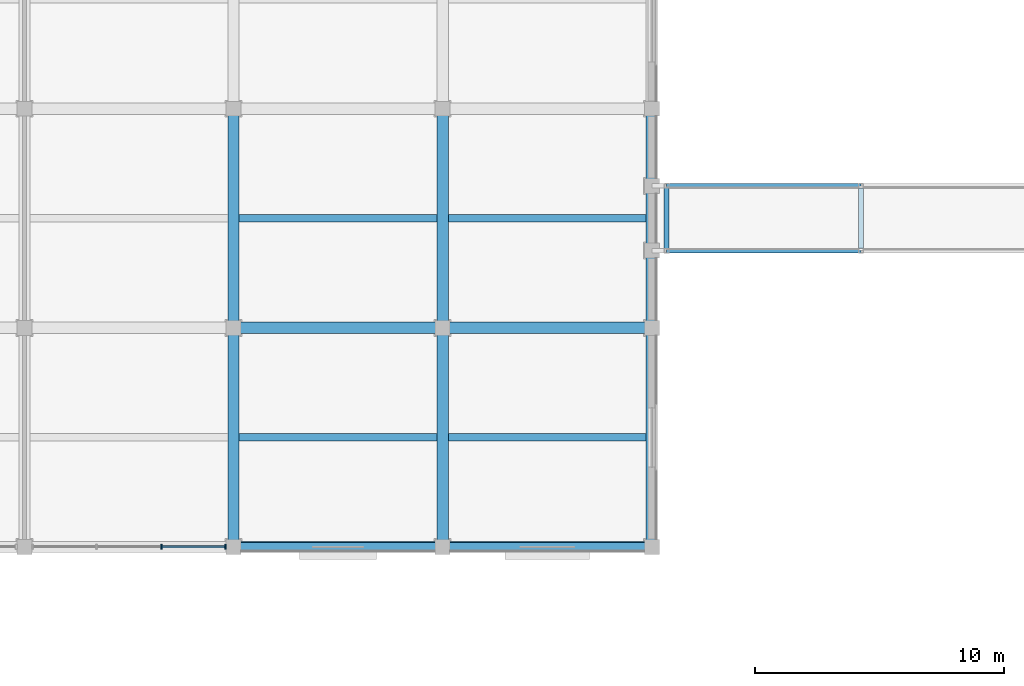
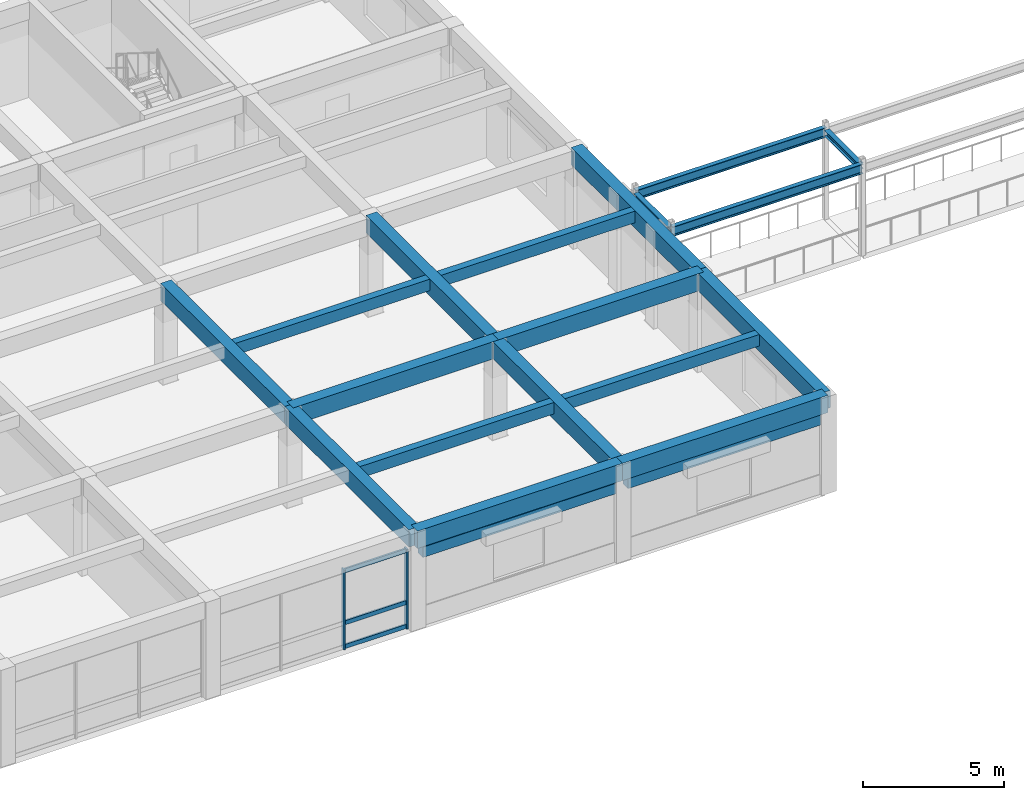
# One storey, part 20 of 57: 20 beams, 5 members, 1 element without a shape of its own.
"""IFC4 building model written with IfcOpenShell, lengths in metres."""

from ifc_helpers import new_model, si_unit, direction, frame, origin, origin_2d, place, context, subcontext, project, spatial, rectangle, i_section, extrude, material, material_profile, profile_set, type_object, element, aggregate, save


model = new_model("IFC4")

# Units and contexts
model_context = context("Model", 3, precision=1e-05, world=origin(), true_north=direction((0.0, 1.0)))
body_context = subcontext(model_context, "Body", "Model", "MODEL_VIEW")
ifc_project = project(units=[si_unit("LENGTHUNIT", "METRE"), si_unit("AREAUNIT", "SQUARE_METRE"), si_unit("VOLUMEUNIT", "CUBIC_METRE"), si_unit("PLANEANGLEUNIT", "RADIAN"), si_unit("MASSUNIT", "GRAM", prefix="KILO")], contexts=[model_context])

# Site, building, storey
site_placement = place(None, origin())
site = spatial("IfcSite", under=ifc_project, at=site_placement, CompositionType="ELEMENT")
building_placement = place(site_placement, origin())
building = spatial("IfcBuilding", under=site, at=building_placement, Name="Kemercrest Conservatory and Botanical Centre", CompositionType="ELEMENT")
storey_placement = place(building_placement, frame((0.0, 0.0, 4.800048828125)))
storey = spatial("IfcBuildingStorey", under=building, at=storey_placement, Name="L01", CompositionType="ELEMENT", Elevation=4.800048828125)

# Beams
ifc_material_1 = material(Name="Steel CSA G40.21 350W", Category="steel")
ifc_material_profile_1 = material_profile(ifc_material_1, i_section(OverallWidth=0.180908203125, OverallDepth=0.4169921875, WebThickness=0.010986328125, FlangeThickness=0.018310546875, FilletRadius=0.01611328125, at=origin_2d()), Name="W410X85")
ifc_profile_set_1 = profile_set([ifc_material_profile_1], Name="Steel CSA G40.21 350W")
beam_type_1 = type_object("IfcBeamType", Name="BM-LB410", PredefinedType="BEAM", material=ifc_profile_set_1)
for number, where, z_axis, x_axis, name in (
    (1, (92.60009765625, 99.10009765625, 3.761474609375), (1.0, 0.0, 0.0), (0.0, 1.0, 0.0), "Link bridge girder LB-01 SJ-3"),
    (2, (92.60009765625, 101.699951171875, 3.761474609375), (1.0, 0.0, 0.0), (0.0, 1.0, 0.0), "Link bridge girder LB-01 SJ-3"),
):
    element("IfcBeam", number, at=place(storey_placement, frame(where, z_axis=z_axis, x_axis=x_axis)), inside=storey, type_object=beam_type_1, Name=name, PredefinedType="BEAM", context=body_context, shape_type="SweptSolid", body=[
        extrude(i_section(OverallWidth=0.180908203125, OverallDepth=0.4169921875, WebThickness=0.010986328125, FlangeThickness=0.018310546875, FilletRadius=0.01611328125, at=origin_2d()), origin(), (0.0, 0.0, 1.0), 7.7998046875),
    ])
ifc_material_2 = material(Name="Concrete C40/50", Category="concrete")
ifc_material_profile_2 = material_profile(ifc_material_2, rectangle(XDim=0.449951171875, YDim=0.75, at=origin_2d()), Name="RC 450x750")
ifc_profile_set_2 = profile_set([ifc_material_profile_2], Name="Concrete C40/50")
beam_type_2 = type_object("IfcBeamType", Name="BM-RC75", PredefinedType="BEAM", material=ifc_profile_set_2)
beam_1_placement = place(storey_placement, frame((75.199951171875, 96.0, 3.824951171875), z_axis=(1.0, 0.0, 0.0), x_axis=(0.0, 1.0, 0.0)))
element("IfcBeam", 3, at=beam_1_placement, inside=storey, type_object=beam_type_2, Name="V3-L02 beam BM-RC75 L/09-10", PredefinedType="BEAM", context=body_context, shape_type="SweptSolid", body=[
    extrude(rectangle(XDim=0.449951171875, YDim=0.75, at=origin_2d()), origin(), (0.0, 0.0, 1.0), 8.400146484375),
])
beam_2_placement = place(storey_placement, frame((83.60009765625, 96.0, 3.824951171875), z_axis=(1.0, 0.0, 0.0), x_axis=(0.0, 1.0, 0.0)))
element("IfcBeam", 4, at=beam_2_placement, inside=storey, type_object=beam_type_2, Name="V3-L02 beam BM-RC75 L/10-11", PredefinedType="BEAM", context=body_context, shape_type="SweptSolid", body=[
    extrude(rectangle(XDim=0.449951171875, YDim=0.75, at=origin_2d()), origin(), (0.0, 0.0, 1.0), 8.39990234375),
])
for number, where, z_axis, x_axis, name in (
    (5, (75.199951171875, 87.199951171875, 3.824951171875), (0.0, 1.0, 0.0), (-1.0, 0.0, 0.0), "V3-L02 beam BM-RC75 09/K-L"),
    (6, (75.199951171875, 96.0, 3.824951171875), (0.0, 1.0, 0.0), (-1.0, 0.0, 0.0), "V3-L02 beam BM-RC75 09/L-M"),
    (7, (83.60009765625, 87.199951171875, 3.824951171875), (0.0, 1.0, 0.0), (-1.0, 0.0, 0.0), "V3-L02 beam BM-RC75 10/K-L"),
    (8, (83.60009765625, 96.0, 3.824951171875), (0.0, 1.0, 0.0), (-1.0, 0.0, 0.0), "V3-L02 beam BM-RC75 10/L-M"),
):
    element("IfcBeam", number, at=place(storey_placement, frame(where, z_axis=z_axis, x_axis=x_axis)), inside=storey, type_object=beam_type_2, Name=name, PredefinedType="BEAM", context=body_context, shape_type="SweptSolid", body=[
        extrude(rectangle(XDim=0.449951171875, YDim=0.75, at=origin_2d()), origin(), (0.0, 0.0, 1.0), 8.800048828125),
    ])

# Curtain wall, members
ifc_material_3 = material(Name="Thermally broken aluminium and triple low-e glazing", Category="aluminium")
curtain_wall_type = type_object("IfcCurtainWallType", Name="CW-07", PredefinedType="USERDEFINED", material=ifc_material_3)
curtain_wall_placement = place(storey_placement, origin())
curtain_wall = element("IfcCurtainWall", 9, at=curtain_wall_placement, inside=storey, type_object=curtain_wall_type, Name="Unitised curtain wall CW-07 (CW:L01:V3-036)", ObjectType="UNITISED CURTAIN WALL", PredefinedType="USERDEFINED")
ifc_material_4 = material(Name="Thermally broken anodized aluminium 6063-T6", Category="aluminium")
ifc_material_profile_3 = material_profile(ifc_material_4, rectangle(XDim=0.199951171875, YDim=0.06494140625, at=origin_2d()), Name="AL MULLION 65x200")
ifc_profile_set_3 = profile_set([ifc_material_profile_3], Name="Thermally broken anodized aluminium 6063-T6")
member_type_1 = type_object("IfcMemberType", Name="CW-M200", PredefinedType="MULLION", material=ifc_profile_set_3)
member_1_placement = place(storey_placement, frame((72.3017578125, 87.199951171875, 0.0), z_axis=(0.0, 0.0, 1.0), x_axis=(0.0, 1.0, 0.0)))
member_1 = element("IfcMember", 10, at=member_1_placement, type_object=member_type_1, Name="CW-07 mullion 3", PredefinedType="MULLION", context=body_context, shape_type="SweptSolid", body=[
    extrude(rectangle(XDim=0.199951171875, YDim=0.06494140625, at=origin_2d()), origin(), (0.0, 0.0, 1.0), 3.454833984375),
])
member_2_placement = place(storey_placement, frame((74.87255859375, 87.199951171875, 0.0), z_axis=(0.0, 0.0, 1.0), x_axis=(0.0, 1.0, 0.0)))
member_2 = element("IfcMember", 11, at=member_2_placement, type_object=member_type_1, Name="CW-07 mullion 4", PredefinedType="MULLION", context=body_context, shape_type="SweptSolid", body=[
    extrude(rectangle(XDim=0.199951171875, YDim=0.06494140625, at=origin_2d()), origin(), (0.0, 0.0, 1.0), 3.454833984375),
])
ifc_material_profile_4 = material_profile(ifc_material_4, rectangle(XDim=0.074951171875, YDim=0.179931640625, at=origin_2d()), Name="AL TRANSOM 75x180")
ifc_profile_set_4 = profile_set([ifc_material_profile_4], Name="Thermally broken anodized aluminium 6063-T6")
member_type_2 = type_object("IfcMemberType", Name="CW-T180", PredefinedType="USERDEFINED", material=ifc_profile_set_4)
member_3_placement = place(storey_placement, frame((72.334228515625, 87.199951171875, 0.08984375), z_axis=(1.0, 0.0, 0.0), x_axis=(0.0, 1.0, 0.0)))
member_3 = element("IfcMember", 12, at=member_3_placement, type_object=member_type_2, Name="CW-07 transom 3.1", ObjectType="TRANSOM", PredefinedType="USERDEFINED", context=body_context, shape_type="SweptSolid", body=[
    extrude(rectangle(XDim=0.074951171875, YDim=0.179931640625, at=origin_2d()), origin(), (0.0, 0.0, 1.0), 2.505859375),
])
member_4_placement = place(storey_placement, frame((72.334228515625, 87.199951171875, 1.119873046875), z_axis=(1.0, 0.0, 0.0), x_axis=(0.0, 1.0, 0.0)))
member_4 = element("IfcMember", 13, at=member_4_placement, type_object=member_type_2, Name="CW-07 transom 3.2", ObjectType="TRANSOM", PredefinedType="USERDEFINED", context=body_context, shape_type="SweptSolid", body=[
    extrude(rectangle(XDim=0.074951171875, YDim=0.179931640625, at=origin_2d()), origin(), (0.0, 0.0, 1.0), 2.505859375),
])
member_5_placement = place(storey_placement, frame((72.334228515625, 87.199951171875, 3.364990234375), z_axis=(1.0, 0.0, 0.0), x_axis=(0.0, 1.0, 0.0)))
member_5 = element("IfcMember", 14, at=member_5_placement, type_object=member_type_2, Name="CW-07 transom 3.3", ObjectType="TRANSOM", PredefinedType="USERDEFINED", context=body_context, shape_type="SweptSolid", body=[
    extrude(rectangle(XDim=0.074951171875, YDim=0.179931640625, at=origin_2d()), origin(), (0.0, 0.0, 1.0), 2.505859375),
])
aggregate(curtain_wall, [member_1, member_2, member_3, member_4, member_5])

# Beams
ifc_material_profile_5 = material_profile(ifc_material_2, rectangle(XDim=0.300048828125, YDim=0.5, at=origin_2d()), Name="RC 300x500")
ifc_profile_set_5 = profile_set([ifc_material_profile_5], Name="Concrete C40/50")
beam_type_3 = type_object("IfcBeamType", Name="JS-RC50", PredefinedType="JOIST", material=ifc_profile_set_5)
for number, where, z_axis, x_axis, name in (
    (15, (75.425048828125, 91.60009765625, 3.949951171875), (1.0, 0.0, 0.0), (0.0, 1.0, 0.0), "V3-L02 secondary joist JS-RC50"),
    (16, (83.824951171875, 91.60009765625, 3.949951171875), (1.0, 0.0, 0.0), (0.0, 1.0, 0.0), "V3-L02 secondary joist JS-RC50"),
    (17, (75.425048828125, 100.39990234375, 3.949951171875), (1.0, 0.0, 0.0), (0.0, 1.0, 0.0), "V3-L02 secondary joist JS-RC50"),
    (18, (83.824951171875, 100.39990234375, 3.949951171875), (1.0, 0.0, 0.0), (0.0, 1.0, 0.0), "V3-L02 secondary joist JS-RC50"),
):
    element("IfcBeam", number, at=place(storey_placement, frame(where, z_axis=z_axis, x_axis=x_axis)), inside=storey, type_object=beam_type_3, Name=name, PredefinedType="JOIST", context=body_context, shape_type="SweptSolid", body=[
        extrude(rectangle(XDim=0.300048828125, YDim=0.5, at=origin_2d()), origin(), (0.0, 0.0, 1.0), 7.949951171875),
    ])
ifc_material_profile_6 = material_profile(ifc_material_1, i_section(OverallWidth=0.202880859375, OverallDepth=0.251953125, WebThickness=0.008056640625, FlangeThickness=0.013427734375, FilletRadius=0.010986328125, at=origin_2d()), Name="W250X58")
ifc_profile_set_6 = profile_set([ifc_material_profile_6], Name="Steel CSA G40.21 350W")
beam_type_4 = type_object("IfcBeamType", Name="JS-W250", PredefinedType="JOIST", material=ifc_profile_set_6)
for number, where, z_axis, x_axis, name in (
    (19, (92.60009765625, 99.1904296875, 3.761474609375), (0.0, 1.0, 0.0), (-1.0, 0.0, 0.0), "Link bridge cross beam SJ-3"),
    (20, (100.39990234375, 99.1904296875, 3.761474609375), (0.0, 1.0, 0.0), (-1.0, 0.0, 0.0), "Link bridge cross beam SJ-3"),
):
    element("IfcBeam", number, at=place(storey_placement, frame(where, z_axis=z_axis, x_axis=x_axis)), inside=storey, type_object=beam_type_4, Name=name, PredefinedType="JOIST", context=body_context, shape_type="SweptSolid", body=[
        extrude(i_section(OverallWidth=0.202880859375, OverallDepth=0.251953125, WebThickness=0.008056640625, FlangeThickness=0.013427734375, FilletRadius=0.010986328125, at=origin_2d()), origin(), (0.0, 0.0, 1.0), 2.419189453125),
    ])
ifc_material_5 = material(Name="Precast concrete C40/50", Category="concrete")
ifc_material_profile_7 = material_profile(ifc_material_5, rectangle(XDim=0.35009765625, YDim=0.449951171875, at=origin_2d()), Name="RC 350x450")
ifc_profile_set_7 = profile_set([ifc_material_profile_7], Name="Precast concrete C40/50")
beam_type_5 = type_object("IfcBeamType", Name="LN-RC46", PredefinedType="LINTEL", material=ifc_profile_set_7)
beam_3_placement = place(storey_placement, frame((75.449951171875, 87.199951171875, 3.1650390625), z_axis=(1.0, 0.0, 0.0), x_axis=(0.0, 1.0, 0.0)))
element("IfcBeam", 21, at=beam_3_placement, inside=storey, type_object=beam_type_5, Name="Precast arched window lintel (WIN:L01:EXT-098)", PredefinedType="LINTEL", context=body_context, shape_type="SweptSolid", body=[
    extrude(rectangle(XDim=0.35009765625, YDim=0.449951171875, at=origin_2d()), origin(), (0.0, 0.0, 1.0), 7.900146484375),
])
beam_4_placement = place(storey_placement, frame((83.85009765625, 87.199951171875, 3.204833984375), z_axis=(1.0, 0.0, 0.0), x_axis=(0.0, 1.0, 0.0)))
element("IfcBeam", 22, at=beam_4_placement, inside=storey, type_object=beam_type_5, Name="Precast arched window lintel (WIN:L01:EXT-099)", PredefinedType="LINTEL", context=body_context, shape_type="SweptSolid", body=[
    extrude(rectangle(XDim=0.35009765625, YDim=0.449951171875, at=origin_2d()), origin(), (0.0, 0.0, 1.0), 7.89990234375),
])
ifc_material_profile_8 = material_profile(ifc_material_2, rectangle(XDim=0.449951171875, YDim=0.75, at=origin_2d()), Name="RC 450x750")
ifc_profile_set_8 = profile_set([ifc_material_profile_8], Name="Concrete C40/50")
beam_type_6 = type_object("IfcBeamType", Name="SP-RC75", PredefinedType="SPANDREL", material=ifc_profile_set_8)
beam_5_placement = place(storey_placement, frame((75.199951171875, 87.199951171875, 3.824951171875), z_axis=(1.0, 0.0, 0.0), x_axis=(0.0, 1.0, 0.0)))
element("IfcBeam", 23, at=beam_5_placement, inside=storey, type_object=beam_type_6, Name="V3-L02 beam SP-RC75 K/09-10", PredefinedType="SPANDREL", context=body_context, shape_type="SweptSolid", body=[
    extrude(rectangle(XDim=0.449951171875, YDim=0.75, at=origin_2d()), origin(), (0.0, 0.0, 1.0), 8.400146484375),
])
beam_6_placement = place(storey_placement, frame((83.60009765625, 87.199951171875, 3.824951171875), z_axis=(1.0, 0.0, 0.0), x_axis=(0.0, 1.0, 0.0)))
element("IfcBeam", 24, at=beam_6_placement, inside=storey, type_object=beam_type_6, Name="V3-L02 beam SP-RC75 K/10-11", PredefinedType="SPANDREL", context=body_context, shape_type="SweptSolid", body=[
    extrude(rectangle(XDim=0.449951171875, YDim=0.75, at=origin_2d()), origin(), (0.0, 0.0, 1.0), 8.39990234375),
])
for number, where, z_axis, x_axis, name in (
    (25, (92.0, 87.199951171875, 3.824951171875), (0.0, 1.0, 0.0), (-1.0, 0.0, 0.0), "V3-L02 beam SP-RC75 11/K-L"),
    (26, (92.0, 96.0, 3.824951171875), (0.0, 1.0, 0.0), (-1.0, 0.0, 0.0), "V3-L02 beam SP-RC75 11/L-M"),
):
    element("IfcBeam", number, at=place(storey_placement, frame(where, z_axis=z_axis, x_axis=x_axis)), inside=storey, type_object=beam_type_6, Name=name, PredefinedType="SPANDREL", context=body_context, shape_type="SweptSolid", body=[
        extrude(rectangle(XDim=0.449951171875, YDim=0.75, at=origin_2d()), origin(), (0.0, 0.0, 1.0), 8.800048828125),
    ])

save(model, "model.ifc")
